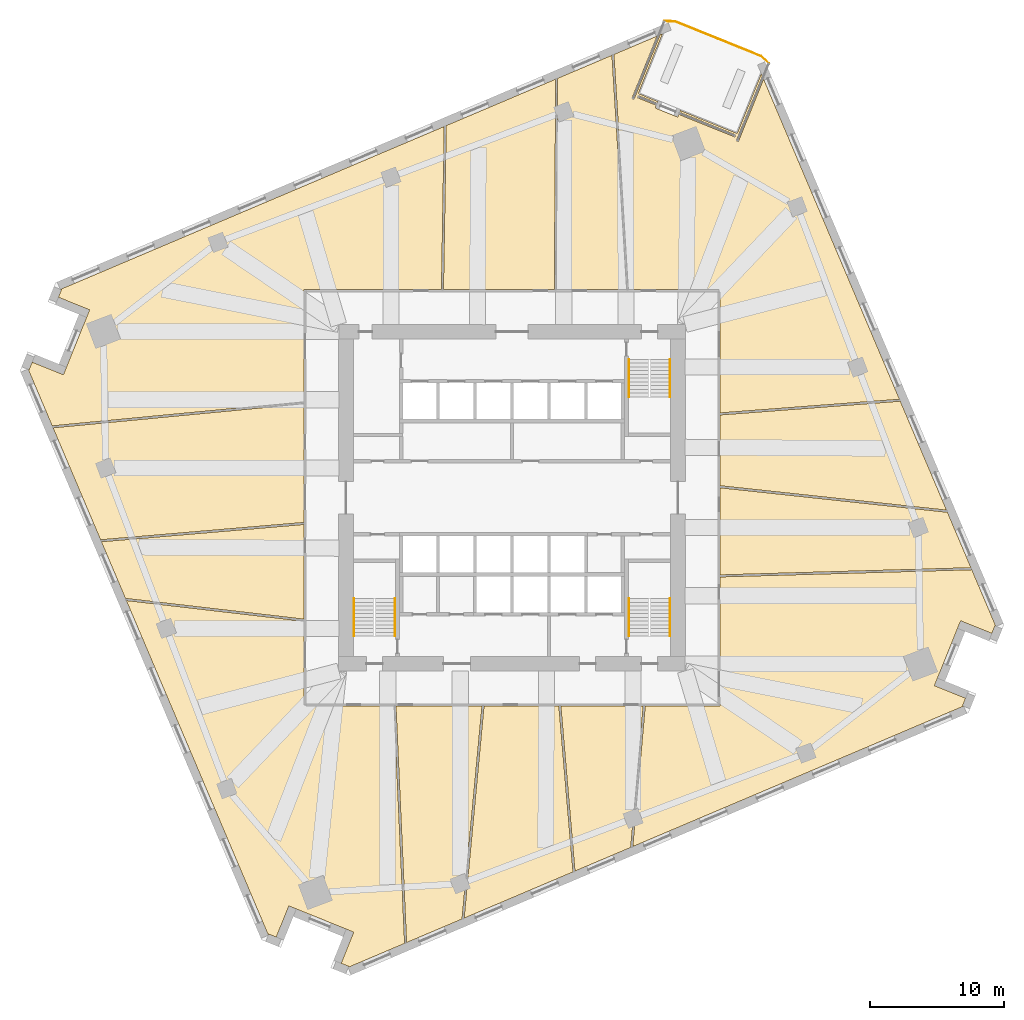
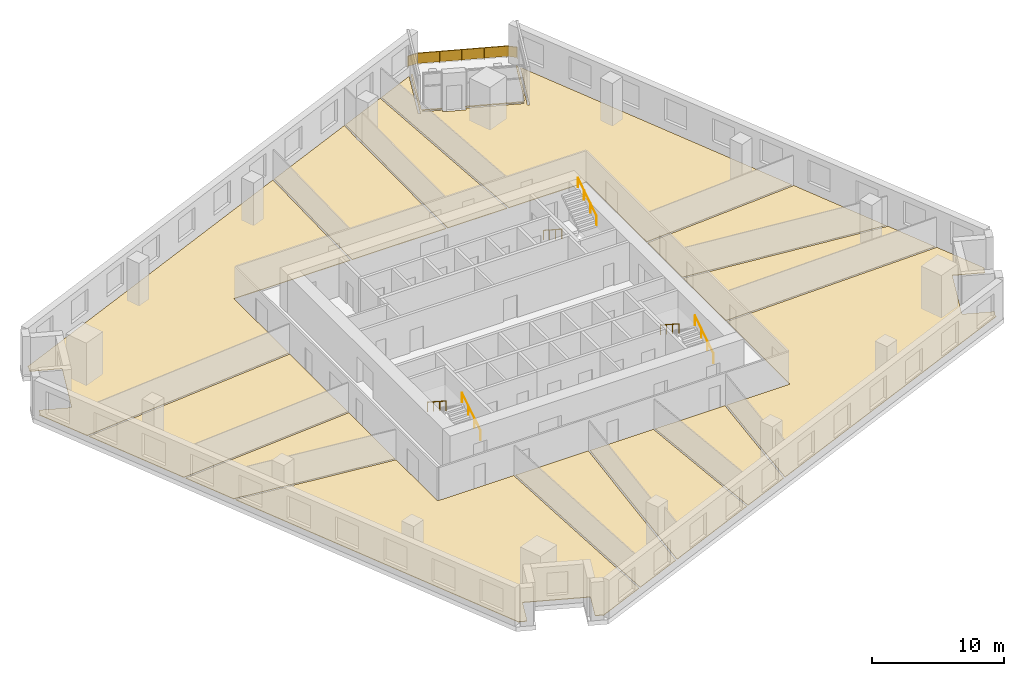
# One storey, part 11 of 12: 13 coverings, 7 railings.
"""IFC4 building model written with IfcOpenShell, lengths in metres."""

from ifc_helpers import new_model, si_unit, direction, frame, origin, origin_2d, place, context, subcontext, project, spatial, polyline, rectangle, circle, outline, extrude, material, layer, layer_set, type_object, element, save


model = new_model("IFC4")

# Units and contexts
model_context = context("Model", 3, precision=1e-05, world=origin(), true_north=direction((0.0, 1.0)))
body_context = subcontext(model_context, "Body", "Model", "MODEL_VIEW")
ifc_project = project(units=[si_unit("LENGTHUNIT", "METRE"), si_unit("AREAUNIT", "SQUARE_METRE"), si_unit("VOLUMEUNIT", "CUBIC_METRE"), si_unit("PLANEANGLEUNIT", "RADIAN"), si_unit("MASSUNIT", "GRAM", prefix="KILO")], contexts=[model_context])

# Site, building, storey
site_placement = place(None, origin())
site = spatial("IfcSite", under=ifc_project, at=site_placement, CompositionType="ELEMENT")
building_placement = place(site_placement, origin())
building = spatial("IfcBuilding", under=site, at=building_placement, Name="Dilmun Exchange Tower", CompositionType="ELEMENT")
storey_placement = place(building_placement, frame((0.0, 0.0, 114.10009765625)))
storey = spatial("IfcBuildingStorey", under=building, at=storey_placement, Name="L26", CompositionType="ELEMENT", Elevation=114.10009765625)

# Coverings
ifc_material_1 = material(Name="Carpet floor finish 50")
ifc_layer_1 = layer(ifc_material_1, 0.050048828125)
ifc_layer_set_1 = layer_set([ifc_layer_1], Name="Carpet floor finish 50")
covering_type_1 = type_object("IfcCoveringType", Name="Carpet floor finish 50", PredefinedType="FLOORING", material=ifc_layer_set_1)
covering_1_placement = place(storey_placement, origin())
element("IfcCovering", 1, at=covering_1_placement, inside=storey, type_object=covering_type_1, Name="Carpet floor finish 50 Analyst office 1", PredefinedType="FLOORING", context=body_context, shape_type="SweptSolid", body=[
    extrude(outline(polyline([(-15.47509765625, 6.990966796875), (-15.47509765625, -1.836669921875), (-30.609375, -3.127197265625), (-34.145263671875, 5.20263671875), (-15.47509765625, 6.990966796875)])), origin(), (0.0, 0.0, 1.0), 0.0498046875),
])
covering_2_placement = place(storey_placement, origin())
element("IfcCovering", 2, at=covering_2_placement, inside=storey, type_object=covering_type_1, Name="Carpet floor finish 50 Meeting room 1", PredefinedType="FLOORING", context=body_context, shape_type="SweptSolid", body=[
    extrude(outline(polyline([(-15.47509765625, -1.987060546875), (-15.47509765625, -9.032470703125), (-28.758544921875, -7.4873046875), (-30.547607421875, -3.272705078125), (-15.47509765625, -1.987060546875)])), origin(), (0.0, 0.0, 1.0), 0.0498046875),
])
covering_3_placement = place(storey_placement, origin())
element("IfcCovering", 3, at=covering_3_placement, inside=storey, type_object=covering_type_1, Name="Carpet floor finish 50 Open office 1", PredefinedType="FLOORING", context=body_context, shape_type="SweptSolid", body=[
    extrude(outline(polyline([(-5.24853515625, 15.47509765625), (-15.47509765625, 15.47509765625), (-15.47509765625, 7.1416015625), (-34.206787109375, 5.347412109375), (-35.99072265625, 9.55029296875), (-35.9248046875, 9.523681640625), (-35.9248046875, 9.523681640625), (-35.924560546875, 9.523681640625), (-35.92431640625, 9.5234375), (-35.924072265625, 9.5234375), (-35.923828125, 9.5234375), (-35.923583984375, 9.523681640625), (-35.923583984375, 9.523681640625), (-35.92333984375, 9.523681640625), (-35.923095703125, 9.523681640625), (-35.923095703125, 9.52392578125), (-35.9228515625, 9.52392578125), (-35.922607421875, 9.524169921875), (-35.922607421875, 9.5244140625), (-35.922607421875, 9.5244140625), (-35.92236328125, 9.524658203125), (-35.92236328125, 9.52490234375), (-35.694091796875, 10.089599609375), (-33.3779296875, 9.154052734375), (-33.377685546875, 9.15380859375), (-33.377685546875, 9.15380859375), (-33.37744140625, 9.15380859375), (-33.377197265625, 9.15380859375), (-33.377197265625, 9.15380859375), (-33.376953125, 9.15380859375), (-33.376708984375, 9.15380859375), (-33.37646484375, 9.154052734375), (-33.376220703125, 9.154052734375), (-33.376220703125, 9.154296875), (-33.3759765625, 9.154296875), (-33.3759765625, 9.154296875), (-33.375732421875, 9.154541015625), (-33.37548828125, 9.15478515625), (-33.37548828125, 9.15478515625), (-33.37548828125, 9.155029296875), (-33.15087890625, 9.7109375), (-33.15087890625, 9.7109375), (-33.150634765625, 9.711181640625), (-33.150634765625, 9.71142578125), (-31.652099609375, 13.420166015625), (-31.652099609375, 13.42041015625), (-31.652099609375, 13.42041015625), (-31.652099609375, 13.42041015625), (-31.427490234375, 13.976318359375), (-31.427490234375, 13.9765625), (-31.427490234375, 13.976806640625), (-31.42724609375, 13.97705078125), (-31.42724609375, 13.977294921875), (-31.42724609375, 13.977294921875), (-31.427490234375, 13.9775390625), (-31.427490234375, 13.977783203125), (-31.427490234375, 13.977783203125), (-31.427490234375, 13.97802734375), (-31.427734375, 13.978271484375), (-31.427734375, 13.978515625), (-31.427978515625, 13.978515625), (-31.427978515625, 13.978759765625), (-31.42822265625, 13.978759765625), (-31.428466796875, 13.97900390625), (-31.4287109375, 13.97900390625), (-33.74462890625, 14.914794921875), (-33.516357421875, 15.479736328125), (-33.516357421875, 15.47998046875), (-33.516357421875, 15.47998046875), (-33.516357421875, 15.480224609375), (-33.51611328125, 15.48046875), (-33.516357421875, 15.480712890625), (-33.516357421875, 15.480712890625), (-33.516357421875, 15.48095703125), (-33.516357421875, 15.481201171875), (-33.5166015625, 15.4814453125), (-33.5166015625, 15.4814453125), (-33.5166015625, 15.481689453125), (-33.516845703125, 15.481689453125), (-33.51708984375, 15.48193359375), (-33.51708984375, 15.482177734375), (-33.517333984375, 15.482177734375), (-33.517578125, 15.482421875), (-33.583251953125, 15.5087890625), (-5.043701171875, 27.623291015625), (-5.24853515625, 15.47509765625)])), origin(), (0.0, 0.0, 1.0), 0.0498046875),
])
covering_4_placement = place(storey_placement, origin())
element("IfcCovering", 4, at=covering_4_placement, inside=storey, type_object=covering_type_1, Name="Carpet floor finish 50 Open office 2", PredefinedType="FLOORING", context=body_context, shape_type="SweptSolid", body=[
    extrude(outline(polyline([(-15.47509765625, -9.183349609375), (-15.47509765625, -15.47509765625), (-8.78125, -15.47509765625), (-7.990234375, -33.15576171875), (-12.172607421875, -34.93115234375), (-12.146240234375, -34.865478515625), (-12.14599609375, -34.865234375), (-12.14599609375, -34.864990234375), (-12.14599609375, -34.86474609375), (-12.14599609375, -34.864501953125), (-12.14599609375, -34.864501953125), (-12.14599609375, -34.8642578125), (-12.14599609375, -34.864013671875), (-12.146240234375, -34.864013671875), (-12.146240234375, -34.86376953125), (-12.146484375, -34.863525390625), (-12.146484375, -34.86328125), (-12.146484375, -34.86328125), (-12.146728515625, -34.863037109375), (-12.14697265625, -34.863037109375), (-12.147216796875, -34.86279296875), (-12.147216796875, -34.86279296875), (-12.712158203125, -34.634521484375), (-11.7763671875, -32.318359375), (-11.7763671875, -32.318359375), (-11.7763671875, -32.318115234375), (-11.7763671875, -32.31787109375), (-11.776123046875, -32.317626953125), (-11.7763671875, -32.3173828125), (-11.7763671875, -32.3173828125), (-11.7763671875, -32.317138671875), (-11.7763671875, -32.31689453125), (-11.776611328125, -32.316650390625), (-11.776611328125, -32.316650390625), (-11.776611328125, -32.31640625), (-11.77685546875, -32.31640625), (-11.777099609375, -32.316162109375), (-11.777099609375, -32.31591796875), (-11.77734375, -32.31591796875), (-11.777587890625, -32.31591796875), (-12.333740234375, -32.091064453125), (-12.333984375, -32.091064453125), (-12.334228515625, -32.0908203125), (-12.334228515625, -32.0908203125), (-16.042236328125, -30.5927734375), (-16.042236328125, -30.5927734375), (-16.04248046875, -30.5927734375), (-16.04248046875, -30.592529296875), (-16.598876953125, -30.367919921875), (-16.59912109375, -30.367919921875), (-16.599365234375, -30.367919921875), (-16.599609375, -30.36767578125), (-16.599609375, -30.36767578125), (-16.599853515625, -30.36767578125), (-16.60009765625, -30.367919921875), (-16.600341796875, -30.367919921875), (-16.600341796875, -30.367919921875), (-16.6005859375, -30.367919921875), (-16.600830078125, -30.3681640625), (-16.600830078125, -30.3681640625), (-16.60107421875, -30.368408203125), (-16.601318359375, -30.368408203125), (-16.601318359375, -30.36865234375), (-16.601318359375, -30.368896484375), (-16.6015625, -30.368896484375), (-17.537353515625, -32.68505859375), (-18.102294921875, -32.456787109375), (-18.102294921875, -32.456787109375), (-18.1025390625, -32.456787109375), (-18.102783203125, -32.456787109375), (-18.102783203125, -32.456787109375), (-18.10302734375, -32.456787109375), (-18.103271484375, -32.456787109375), (-18.103515625, -32.456787109375), (-18.103759765625, -32.456787109375), (-18.10400390625, -32.45703125), (-18.10400390625, -32.45703125), (-18.104248046875, -32.457275390625), (-18.104248046875, -32.457275390625), (-18.1044921875, -32.45751953125), (-18.1044921875, -32.45751953125), (-18.104736328125, -32.457763671875), (-18.104736328125, -32.4580078125), (-18.13134765625, -32.523681640625), (-28.691162109375, -7.646240234375), (-15.47509765625, -9.183349609375)])), origin(), (0.0, 0.0, 1.0), 0.0498046875),
])
covering_5_placement = place(storey_placement, origin())
element("IfcCovering", 5, at=covering_5_placement, inside=storey, type_object=covering_type_1, Name="Carpet floor finish 50 Advisory office", PredefinedType="FLOORING", context=body_context, shape_type="SweptSolid", body=[
    extrude(outline(polyline([(3.1484375, 15.47509765625), (-5.098388671875, 15.47509765625), (-4.892578125, 27.687255859375), (3.248046875, 31.142822265625), (3.1484375, 15.47509765625)])), origin(), (0.0, 0.0, 1.0), 0.0498046875),
])
covering_6_placement = place(storey_placement, origin())
element("IfcCovering", 6, at=covering_6_placement, inside=storey, type_object=covering_type_1, Name="Carpet floor finish 50 Analyst office 2", PredefinedType="FLOORING", context=body_context, shape_type="SweptSolid", body=[
    extrude(outline(polyline([(-2.080810546875, -15.47509765625), (3.4833984375, -15.47509765625), (4.538330078125, -27.837646484375), (-3.56201171875, -31.276123046875), (-2.080810546875, -15.47509765625)])), origin(), (0.0, 0.0, 1.0), 0.0498046875),
])
covering_7_placement = place(storey_placement, origin())
element("IfcCovering", 7, at=covering_7_placement, inside=storey, type_object=covering_type_1, Name="Carpet floor finish 50 Meeting room 2", PredefinedType="FLOORING", context=body_context, shape_type="SweptSolid", body=[
    extrude(outline(polyline([(8.51708984375, 15.47509765625), (3.298583984375, 15.47509765625), (3.3984375, 31.206787109375), (7.435546875, 32.92041015625), (8.51708984375, 15.47509765625)])), origin(), (0.0, 0.0, 1.0), 0.0498046875),
])
covering_8_placement = place(storey_placement, origin())
element("IfcCovering", 8, at=covering_8_placement, inside=storey, type_object=covering_type_1, Name="Carpet floor finish 50 Meeting room 3", PredefinedType="FLOORING", context=body_context, shape_type="SweptSolid", body=[
    extrude(outline(polyline([(3.634033203125, -15.47509765625), (9.7626953125, -15.47509765625), (8.82958984375, -26.01611328125), (4.68359375, -27.77587890625), (3.634033203125, -15.47509765625)])), origin(), (0.0, 0.0, 1.0), 0.0498046875),
])
covering_9_placement = place(storey_placement, origin())
element("IfcCovering", 9, at=covering_9_placement, inside=storey, type_object=covering_type_1, Name="Carpet floor finish 50 Garden lounge", PredefinedType="FLOORING", context=body_context, shape_type="SweptSolid", body=[
    extrude(outline(polyline([(10.847412109375, 29.485107421875), (10.7939453125, 29.3525390625), (9.4150390625, 29.90966796875), (9.414794921875, 29.90966796875), (9.41455078125, 29.90966796875), (9.414306640625, 29.909912109375), (9.414306640625, 29.909912109375), (9.4140625, 29.909912109375), (9.413818359375, 29.90966796875), (9.413818359375, 29.90966796875), (9.41357421875, 29.90966796875), (9.413330078125, 29.909423828125), (9.4130859375, 29.909423828125), (9.4130859375, 29.9091796875), (9.412841796875, 29.9091796875), (9.41259765625, 29.908935546875), (9.41259765625, 29.908935546875), (9.41259765625, 29.90869140625), (9.412353515625, 29.908447265625), (9.3525390625, 29.76025390625), (9.352294921875, 29.760009765625), (9.352294921875, 29.759765625), (9.352294921875, 29.759521484375), (9.352294921875, 29.759521484375), (9.352294921875, 29.75927734375), (9.352294921875, 29.759033203125), (9.352294921875, 29.7587890625), (9.3525390625, 29.758544921875), (9.3525390625, 29.758544921875), (9.352783203125, 29.75830078125), (9.352783203125, 29.758056640625), (9.352783203125, 29.758056640625), (9.35302734375, 29.7578125), (9.353271484375, 29.7578125), (9.353515625, 29.7578125), (9.353515625, 29.757568359375), (10.732421875, 29.200439453125), (10.65087890625, 28.998291015625), (10.650634765625, 28.998291015625), (10.650634765625, 28.998046875), (10.650634765625, 28.997802734375), (10.650634765625, 28.99755859375), (10.650634765625, 28.997314453125), (10.650634765625, 28.997314453125), (10.650634765625, 28.9970703125), (10.65087890625, 28.996826171875), (10.65087890625, 28.99658203125), (10.65087890625, 28.99658203125), (10.651123046875, 28.996337890625), (10.651123046875, 28.99609375), (10.6513671875, 28.99609375), (10.651611328125, 28.99609375), (10.651611328125, 28.995849609375), (10.65185546875, 28.995849609375), (12.32080078125, 28.321533203125), (12.321044921875, 28.3212890625), (12.321044921875, 28.3212890625), (12.3212890625, 28.3212890625), (12.321533203125, 28.3212890625), (12.32177734375, 28.3212890625), (12.322021484375, 28.3212890625), (12.322021484375, 28.3212890625), (12.322265625, 28.321533203125), (12.322509765625, 28.321533203125), (12.322509765625, 28.32177734375), (12.32275390625, 28.32177734375), (12.322998046875, 28.322021484375), (12.322998046875, 28.322021484375), (12.3232421875, 28.322265625), (12.3232421875, 28.322509765625), (12.323486328125, 28.322509765625), (12.405029296875, 28.524658203125), (16.5654296875, 26.84375), (16.565673828125, 26.84375), (16.56591796875, 26.84375), (16.56591796875, 26.843505859375), (16.566162109375, 26.843505859375), (16.56640625, 26.843505859375), (16.56640625, 26.84375), (16.566650390625, 26.84375), (16.56689453125, 26.84375), (16.567138671875, 26.843994140625), (16.5673828125, 26.843994140625), (16.5673828125, 26.843994140625), (16.567626953125, 26.84423828125), (16.567626953125, 26.844482421875), (16.56787109375, 26.844482421875), (16.56787109375, 26.8447265625), (16.568115234375, 26.844970703125), (16.6279296875, 26.9931640625), (16.6279296875, 26.993408203125), (16.6279296875, 26.99365234375), (16.628173828125, 26.993896484375), (16.628173828125, 26.993896484375), (16.628173828125, 26.994140625), (16.6279296875, 26.994384765625), (16.6279296875, 26.99462890625), (16.6279296875, 26.994873046875), (16.627685546875, 26.994873046875), (16.627685546875, 26.9951171875), (16.627685546875, 26.995361328125), (16.62744140625, 26.995361328125), (16.627197265625, 26.99560546875), (16.627197265625, 26.99560546875), (16.626953125, 26.99560546875), (16.626708984375, 26.995849609375), (12.466552734375, 28.6767578125), (12.52001953125, 28.809326171875), (16.75, 27.100341796875), (18.546142578125, 31.54638671875), (18.625244140625, 31.360107421875), (16.685791015625, 26.56005859375), (16.685791015625, 26.559814453125), (16.685791015625, 26.5595703125), (16.685791015625, 26.559326171875), (16.685791015625, 26.559326171875), (16.685791015625, 26.55908203125), (16.685791015625, 26.558837890625), (16.685791015625, 26.55859375), (16.685791015625, 26.55859375), (16.68603515625, 26.558349609375), (16.68603515625, 26.55810546875), (16.686279296875, 26.55810546875), (16.686279296875, 26.557861328125), (16.6865234375, 26.5576171875), (16.6865234375, 26.5576171875), (16.686767578125, 26.5576171875), (16.68701171875, 26.557373046875), (16.835205078125, 26.49755859375), (16.83544921875, 26.497314453125), (16.835693359375, 26.497314453125), (16.8359375, 26.497314453125), (16.836181640625, 26.497314453125), (16.836181640625, 26.497314453125), (16.83642578125, 26.497314453125), (16.836669921875, 26.497314453125), (16.8369140625, 26.49755859375), (16.8369140625, 26.49755859375), (16.837158203125, 26.497802734375), (16.83740234375, 26.497802734375), (16.83740234375, 26.497802734375), (16.837646484375, 26.498046875), (16.837646484375, 26.498291015625), (16.837890625, 26.498291015625), (16.837890625, 26.49853515625), (18.7158203125, 31.146484375), (28.826171875, 7.32861328125), (15.47509765625, 6.310791015625), (15.47509765625, 15.47509765625), (8.66748046875, 15.47509765625), (7.58203125, 32.982421875), (10.795654296875, 34.3466796875), (8.917724609375, 29.698486328125), (8.917724609375, 29.6982421875), (8.917724609375, 29.697998046875), (8.91748046875, 29.697998046875), (8.91748046875, 29.69775390625), (8.91748046875, 29.697509765625), (8.917724609375, 29.697509765625), (8.917724609375, 29.697265625), (8.917724609375, 29.697021484375), (8.91796875, 29.69677734375), (8.91796875, 29.696533203125), (8.918212890625, 29.696533203125), (8.918212890625, 29.6962890625), (8.91845703125, 29.6962890625), (8.91845703125, 29.696044921875), (8.918701171875, 29.696044921875), (8.9189453125, 29.69580078125), (9.067138671875, 29.635986328125), (9.0673828125, 29.635986328125), (9.067626953125, 29.635986328125), (9.06787109375, 29.6357421875), (9.068115234375, 29.6357421875), (9.068115234375, 29.6357421875), (9.068359375, 29.635986328125), (9.068603515625, 29.635986328125), (9.06884765625, 29.635986328125), (9.06884765625, 29.635986328125), (9.069091796875, 29.63623046875), (9.0693359375, 29.63623046875), (9.0693359375, 29.636474609375), (9.069580078125, 29.63671875), (9.069580078125, 29.63671875), (9.069580078125, 29.636962890625), (9.06982421875, 29.63720703125), (11.00927734375, 34.437255859375), (11.1953125, 34.516357421875), (9.399169921875, 30.0703125), (10.847412109375, 29.485107421875)])), origin(), (0.0, 0.0, 1.0), 0.0498046875),
])
covering_10_placement = place(storey_placement, origin())
element("IfcCovering", 10, at=covering_10_placement, inside=storey, type_object=covering_type_1, Name="Carpet floor finish 50 Open office 3", PredefinedType="FLOORING", context=body_context, shape_type="SweptSolid", body=[
    extrude(outline(polyline([(9.913330078125, -15.47509765625), (15.47509765625, -15.47509765625), (15.47509765625, -5.889404296875), (34.20947265625, -5.35400390625), (35.99072265625, -9.55029296875), (35.9248046875, -9.523681640625), (35.9248046875, -9.523681640625), (35.924560546875, -9.523681640625), (35.92431640625, -9.5234375), (35.924072265625, -9.5234375), (35.923828125, -9.5234375), (35.923583984375, -9.523681640625), (35.923583984375, -9.523681640625), (35.92333984375, -9.523681640625), (35.923095703125, -9.523681640625), (35.923095703125, -9.52392578125), (35.9228515625, -9.52392578125), (35.922607421875, -9.524169921875), (35.922607421875, -9.5244140625), (35.922607421875, -9.5244140625), (35.92236328125, -9.524658203125), (35.92236328125, -9.52490234375), (35.694091796875, -10.089599609375), (33.3779296875, -9.154052734375), (33.377685546875, -9.15380859375), (33.377685546875, -9.15380859375), (33.37744140625, -9.15380859375), (33.377197265625, -9.15380859375), (33.377197265625, -9.15380859375), (33.376953125, -9.15380859375), (33.376708984375, -9.15380859375), (33.37646484375, -9.154052734375), (33.376220703125, -9.154052734375), (33.376220703125, -9.154296875), (33.3759765625, -9.154296875), (33.3759765625, -9.154296875), (33.375732421875, -9.154541015625), (33.37548828125, -9.15478515625), (33.37548828125, -9.15478515625), (33.37548828125, -9.155029296875), (33.15087890625, -9.7109375), (33.15087890625, -9.7109375), (33.150634765625, -9.711181640625), (33.150634765625, -9.71142578125), (31.652099609375, -13.420166015625), (31.652099609375, -13.42041015625), (31.652099609375, -13.42041015625), (31.652099609375, -13.42041015625), (31.427490234375, -13.976318359375), (31.427490234375, -13.9765625), (31.427490234375, -13.976806640625), (31.42724609375, -13.97705078125), (31.42724609375, -13.977294921875), (31.42724609375, -13.977294921875), (31.427490234375, -13.9775390625), (31.427490234375, -13.977783203125), (31.427490234375, -13.977783203125), (31.427490234375, -13.97802734375), (31.427734375, -13.978271484375), (31.427734375, -13.978515625), (31.427978515625, -13.978515625), (31.427978515625, -13.978759765625), (31.42822265625, -13.978759765625), (31.428466796875, -13.97900390625), (31.4287109375, -13.97900390625), (33.74462890625, -14.914794921875), (33.516357421875, -15.479736328125), (33.516357421875, -15.47998046875), (33.516357421875, -15.47998046875), (33.516357421875, -15.480224609375), (33.51611328125, -15.48046875), (33.516357421875, -15.480712890625), (33.516357421875, -15.480712890625), (33.516357421875, -15.48095703125), (33.516357421875, -15.481201171875), (33.5166015625, -15.4814453125), (33.5166015625, -15.4814453125), (33.5166015625, -15.481689453125), (33.516845703125, -15.481689453125), (33.51708984375, -15.48193359375), (33.51708984375, -15.482177734375), (33.517333984375, -15.482177734375), (33.517578125, -15.482421875), (33.583251953125, -15.5087890625), (8.986083984375, -25.94970703125), (9.913330078125, -15.47509765625)])), origin(), (0.0, 0.0, 1.0), 0.0498046875),
])
covering_11_placement = place(storey_placement, origin())
element("IfcCovering", 11, at=covering_11_placement, inside=storey, type_object=covering_type_1, Name="Carpet floor finish 50 Break-out lounge", PredefinedType="FLOORING", context=body_context, shape_type="SweptSolid", body=[
    extrude(outline(polyline([(15.47509765625, 0.894287109375), (15.47509765625, 6.160400390625), (28.887939453125, 7.182861328125), (32.32763671875, -0.9208984375), (15.47509765625, 0.894287109375)])), origin(), (0.0, 0.0, 1.0), 0.0498046875),
])
covering_12_placement = place(storey_placement, origin())
element("IfcCovering", 12, at=covering_12_placement, inside=storey, type_object=covering_type_1, Name="Carpet floor finish 50 Analyst office 3", PredefinedType="FLOORING", context=body_context, shape_type="SweptSolid", body=[
    extrude(outline(polyline([(15.47509765625, -5.739501953125), (15.47509765625, 0.74365234375), (32.394775390625, -1.078857421875), (34.146484375, -5.20556640625), (15.47509765625, -5.739501953125)])), origin(), (0.0, 0.0, 1.0), 0.0498046875),
])

# Railings
ifc_material_2 = material(Name="Stainless steel", Category="steel")
railing_type_1 = type_object("IfcRailingType", Name="Stair handrail 900", PredefinedType="HANDRAIL", material=ifc_material_2)
railing_1_placement = place(storey_placement, frame((8.699951171875, 10.300048828125, 0.181640625)))
element("IfcRailing", 13, at=railing_1_placement, inside=storey, type_object=railing_type_1, Name="L26 ST1 stair handrail 1", PredefinedType="HANDRAIL", context=body_context, shape_type="SweptSolid", body=[
    extrude(circle(Radius=0.02392578125, at=origin_2d()), frame((0.0, 0.0, 0.8759765625), z_axis=(0.0, -0.838672427954, 0.544636170843), x_axis=(1.0, 0.0, 0.0)), (0.0, 0.0, 1.0), 3.338623046875),
    extrude(circle(Radius=0.02099609375, at=origin_2d()), origin(), (0.0, 0.0, 1.0), 0.851806640625),
    extrude(circle(Radius=0.02099609375, at=origin_2d()), frame((0.0, -0.933349609375, 0.606201171875)), (0.0, 0.0, 1.0), 0.851806640625),
    extrude(circle(Radius=0.02099609375, at=origin_2d()), frame((0.0, -1.86669921875, 1.212158203125)), (0.0, 0.0, 1.0), 0.851806640625),
    extrude(circle(Radius=0.02099609375, at=origin_2d()), frame((0.0, -2.800048828125, 1.818359375)), (0.0, 0.0, 1.0), 0.851806640625),
])
for number, where, name in (
    (14, (11.75, 7.5, 2.181640625), "L26 ST1 stair handrail 2"),
    (15, (-8.699951171875, -10.300048828125, 0.181640625), "L26 ST2 stair handrail 1"),
):
    element("IfcRailing", number, at=place(storey_placement, frame(where)), inside=storey, type_object=railing_type_1, Name=name, PredefinedType="HANDRAIL", context=body_context, shape_type="SweptSolid", body=[
        extrude(circle(Radius=0.02392578125, at=origin_2d()), frame((0.0, 0.0, 0.8759765625), z_axis=(0.0, 0.838672427954, 0.544636170843), x_axis=(-1.0, 0.0, 0.0)), (0.0, 0.0, 1.0), 3.338623046875),
        extrude(circle(Radius=0.02099609375, at=origin_2d()), origin(), (0.0, 0.0, 1.0), 0.851806640625),
        extrude(circle(Radius=0.02099609375, at=origin_2d()), frame((0.0, 0.933349609375, 0.606201171875)), (0.0, 0.0, 1.0), 0.851806640625),
        extrude(circle(Radius=0.02099609375, at=origin_2d()), frame((0.0, 1.86669921875, 1.212158203125)), (0.0, 0.0, 1.0), 0.851806640625),
        extrude(circle(Radius=0.02099609375, at=origin_2d()), frame((0.0, 2.800048828125, 1.818359375)), (0.0, 0.0, 1.0), 0.851806640625),
    ])
railing_2_placement = place(storey_placement, frame((-11.75, -7.5, 2.181640625)))
element("IfcRailing", 16, at=railing_2_placement, inside=storey, type_object=railing_type_1, Name="L26 ST2 stair handrail 2", PredefinedType="HANDRAIL", context=body_context, shape_type="SweptSolid", body=[
    extrude(circle(Radius=0.02392578125, at=origin_2d()), frame((0.0, 0.0, 0.8759765625), z_axis=(0.0, -0.838672427954, 0.544636170843), x_axis=(1.0, 0.0, 0.0)), (0.0, 0.0, 1.0), 3.338623046875),
    extrude(circle(Radius=0.02099609375, at=origin_2d()), origin(), (0.0, 0.0, 1.0), 0.851806640625),
    extrude(circle(Radius=0.02099609375, at=origin_2d()), frame((0.0, -0.933349609375, 0.606201171875)), (0.0, 0.0, 1.0), 0.851806640625),
    extrude(circle(Radius=0.02099609375, at=origin_2d()), frame((0.0, -1.86669921875, 1.212158203125)), (0.0, 0.0, 1.0), 0.851806640625),
    extrude(circle(Radius=0.02099609375, at=origin_2d()), frame((0.0, -2.800048828125, 1.818359375)), (0.0, 0.0, 1.0), 0.851806640625),
])
railing_3_placement = place(storey_placement, frame((11.75, -10.300048828125, 0.181640625)))
element("IfcRailing", 17, at=railing_3_placement, inside=storey, type_object=railing_type_1, Name="L26 ST3 stair handrail 1", PredefinedType="HANDRAIL", context=body_context, shape_type="SweptSolid", body=[
    extrude(circle(Radius=0.02392578125, at=origin_2d()), frame((0.0, 0.0, 0.8759765625), z_axis=(0.0, 0.838672427954, 0.544636170843), x_axis=(-1.0, 0.0, 0.0)), (0.0, 0.0, 1.0), 3.338623046875),
    extrude(circle(Radius=0.02099609375, at=origin_2d()), origin(), (0.0, 0.0, 1.0), 0.851806640625),
    extrude(circle(Radius=0.02099609375, at=origin_2d()), frame((0.0, 0.933349609375, 0.606201171875)), (0.0, 0.0, 1.0), 0.851806640625),
    extrude(circle(Radius=0.02099609375, at=origin_2d()), frame((0.0, 1.86669921875, 1.212158203125)), (0.0, 0.0, 1.0), 0.851806640625),
    extrude(circle(Radius=0.02099609375, at=origin_2d()), frame((0.0, 2.800048828125, 1.818359375)), (0.0, 0.0, 1.0), 0.851806640625),
])
railing_4_placement = place(storey_placement, frame((8.699951171875, -7.5, 2.181640625)))
element("IfcRailing", 18, at=railing_4_placement, inside=storey, type_object=railing_type_1, Name="L26 ST3 stair handrail 2", PredefinedType="HANDRAIL", context=body_context, shape_type="SweptSolid", body=[
    extrude(circle(Radius=0.02392578125, at=origin_2d()), frame((0.0, 0.0, 0.8759765625), z_axis=(0.0, -0.838672427954, 0.544636170843), x_axis=(1.0, 0.0, 0.0)), (0.0, 0.0, 1.0), 3.338623046875),
    extrude(circle(Radius=0.02099609375, at=origin_2d()), origin(), (0.0, 0.0, 1.0), 0.851806640625),
    extrude(circle(Radius=0.02099609375, at=origin_2d()), frame((0.0, -0.933349609375, 0.606201171875)), (0.0, 0.0, 1.0), 0.851806640625),
    extrude(circle(Radius=0.02099609375, at=origin_2d()), frame((0.0, -1.86669921875, 1.212158203125)), (0.0, 0.0, 1.0), 0.851806640625),
    extrude(circle(Radius=0.02099609375, at=origin_2d()), frame((0.0, -2.800048828125, 1.818359375)), (0.0, 0.0, 1.0), 0.851806640625),
])

# Covering
ifc_material_3 = material(Name="Stone floor finish 50", Category="masonry")
ifc_layer_2 = layer(ifc_material_3, 0.050048828125)
ifc_layer_set_2 = layer_set([ifc_layer_2], Name="Stone floor finish 50")
covering_type_2 = type_object("IfcCoveringType", Name="Stone floor finish 50", PredefinedType="FLOORING", material=ifc_layer_set_2)
covering_13_placement = place(storey_placement, origin())
element("IfcCovering", 19, at=covering_13_placement, inside=storey, type_object=covering_type_2, Name="Stone floor finish 50 Reception", PredefinedType="FLOORING", context=body_context, shape_type="SweptSolid", body=[
    extrude(outline(polyline([(-8.631103515625, -15.47509765625), (-2.2314453125, -15.47509765625), (-3.718994140625, -31.3427734375), (-7.843017578125, -33.09326171875), (-8.631103515625, -15.47509765625)])), origin(), (0.0, 0.0, 1.0), 0.0498046875),
])

# Railing
railing_type_2 = type_object("IfcRailingType", Name="Terrace guard 1100 stainless steel", PredefinedType="GUARDRAIL", material=ifc_material_2)
railing_5_placement = place(storey_placement, frame((11.333740234375, 35.45947265625, 0.0)))
element("IfcRailing", 20, at=railing_5_placement, inside=storey, type_object=railing_type_2, Name="Terrace guard 1", PredefinedType="GUARDRAIL", context=body_context, shape_type="SweptSolid", body=[
    extrude(circle(Radius=0.02392578125, at=origin_2d()), frame((0.0, 0.0, 1.076171875), z_axis=(0.999564560662, -0.029507440905, 0.0), x_axis=(0.029507440905, 0.999564560662, 0.0)), (0.0, 0.0, 1.0), 0.794189453125),
    extrude(rectangle(XDim=0.011962890625, YDim=0.951904296875, at=origin_2d()), frame((0.0, 0.0, 0.576171875), z_axis=(0.999564560662, -0.029507440905, 0.0), x_axis=(0.029507440905, 0.999564560662, 0.0)), (0.0, 0.0, 1.0), 0.794189453125),
    extrude(circle(Radius=0.02392578125, at=origin_2d()), frame((0.7939453125, -0.0234375, 1.076171875), z_axis=(0.927187868531, -0.374596658353, 0.0), x_axis=(0.374596658353, 0.927187868531, 0.0)), (0.0, 0.0, 1.0), 6.88818359375),
    extrude(rectangle(XDim=0.011962890625, YDim=0.951904296875, at=origin_2d()), frame((0.7939453125, -0.0234375, 0.576171875), z_axis=(0.927187868531, -0.374596658353, 0.0), x_axis=(0.374596658353, 0.927187868531, 0.0)), (0.0, 0.0, 1.0), 6.88818359375),
    extrude(circle(Radius=0.02392578125, at=origin_2d()), frame((7.1806640625, -2.603759765625, 1.076171875), z_axis=(0.739369699024, -0.673299671888, 0.0), x_axis=(0.673299671888, 0.739369699024, 0.0)), (0.0, 0.0, 1.0), 0.79443359375),
    extrude(rectangle(XDim=0.011962890625, YDim=0.951904296875, at=origin_2d()), frame((7.1806640625, -2.603759765625, 0.576171875), z_axis=(0.739369699024, -0.673299671888, 0.0), x_axis=(0.673299671888, 0.739369699024, 0.0)), (0.0, 0.0, 1.0), 0.79443359375),
    extrude(circle(Radius=0.02099609375, at=origin_2d()), origin(), (0.0, 0.0, 1.0), 1.052001953125),
    extrude(circle(Radius=0.02099609375, at=origin_2d()), frame((0.7939453125, -0.0234375, 0.0)), (0.0, 0.0, 1.0), 1.052001953125),
    extrude(circle(Radius=0.02099609375, at=origin_2d()), frame((2.390625, -0.66845703125, 0.0)), (0.0, 0.0, 1.0), 1.052001953125),
    extrude(circle(Radius=0.02099609375, at=origin_2d()), frame((3.9873046875, -1.3134765625, 0.0)), (0.0, 0.0, 1.0), 1.052001953125),
    extrude(circle(Radius=0.02099609375, at=origin_2d()), frame((5.583984375, -1.958740234375, 0.0)), (0.0, 0.0, 1.0), 1.052001953125),
    extrude(circle(Radius=0.02099609375, at=origin_2d()), frame((7.1806640625, -2.603759765625, 0.0)), (0.0, 0.0, 1.0), 1.052001953125),
    extrude(circle(Radius=0.02099609375, at=origin_2d()), frame((7.76806640625, -3.138671875, 0.0)), (0.0, 0.0, 1.0), 1.052001953125),
])

save(model, "model.ifc")
